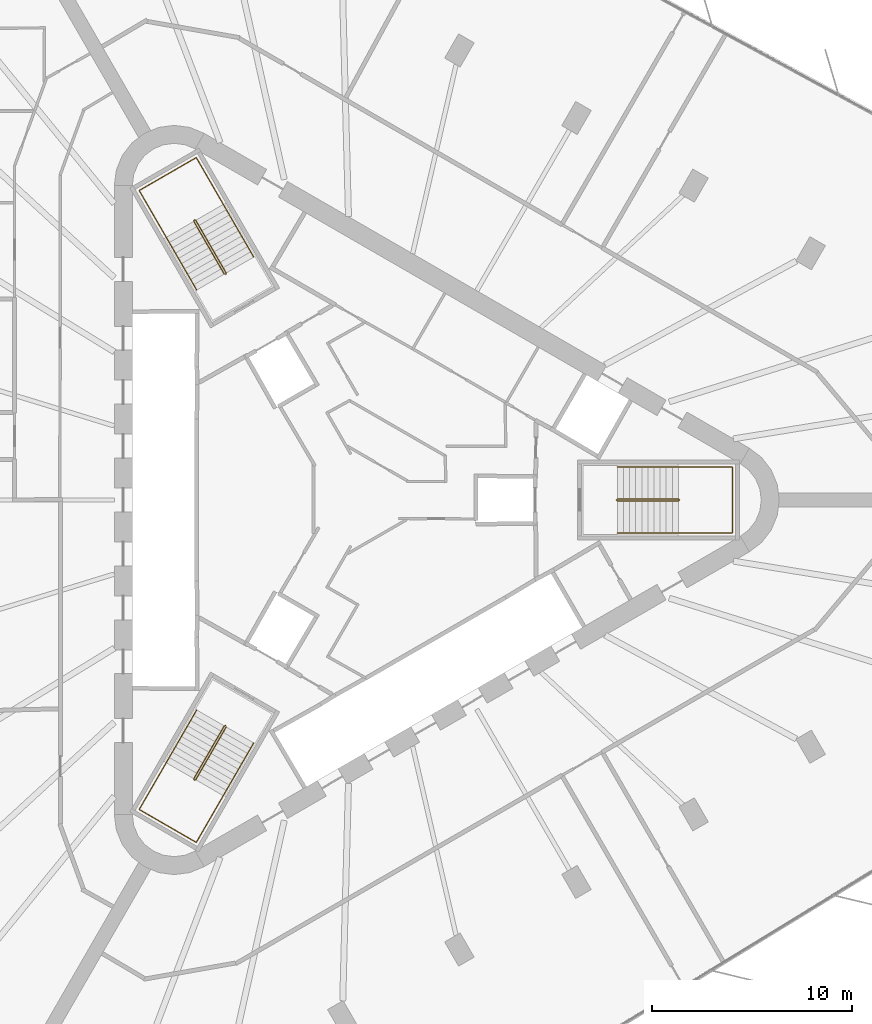
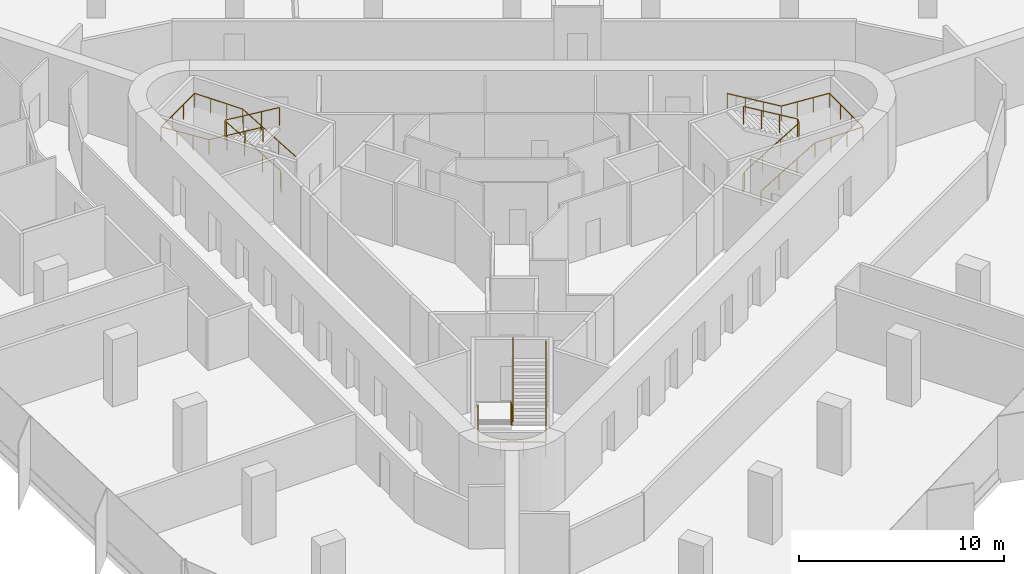
# One storey, part 14 of 14: 6 railings.
"""IFC4 building model written with IfcOpenShell, lengths in metres."""

from ifc_helpers import new_model, si_unit, direction, frame, origin, origin_2d, place, context, subcontext, project, spatial, circle, extrude, material, type_object, element, save


model = new_model("IFC4")

# Units and contexts
model_context = context("Model", 3, precision=1e-05, world=origin(), true_north=direction((0.0, 1.0)))
body_context = subcontext(model_context, "Body", "Model", "MODEL_VIEW")
ifc_project = project(units=[si_unit("LENGTHUNIT", "METRE"), si_unit("AREAUNIT", "SQUARE_METRE"), si_unit("VOLUMEUNIT", "CUBIC_METRE"), si_unit("PLANEANGLEUNIT", "RADIAN"), si_unit("MASSUNIT", "GRAM", prefix="KILO")], contexts=[model_context])

# Site, building, storey
site_placement = place(None, origin())
site = spatial("IfcSite", under=ifc_project, at=site_placement, CompositionType="ELEMENT")
building_placement = place(site_placement, origin())
building = spatial("IfcBuilding", under=site, at=building_placement, Name="Tanit Gate Tower", CompositionType="ELEMENT")
storey_placement = place(building_placement, frame((0.0, 0.0, 221.199951171875)))
storey = spatial("IfcBuildingStorey", under=building, at=storey_placement, Name="L49", CompositionType="ELEMENT", Elevation=221.199951171875)

# Railings
ifc_material_1 = material(Name="Stainless steel balustrade", Category="steel")
railing_type_1 = type_object("IfcRailingType", Name="INT-STAIR-GUARD", PredefinedType="GUARDRAIL", material=ifc_material_1)
railing_1_placement = place(storey_placement, frame((13.044921875, 0.0048828125, 0.0)))
element("IfcRailing", 1, at=railing_1_placement, inside=storey, type_object=railing_type_1, Name="L49 S1 stair guard 1", PredefinedType="GUARDRAIL", context=body_context, shape_type="SweptSolid", body=[
    extrude(circle(Radius=0.02392578125, at=origin_2d()), frame((0.0, 0.0, 1.076171875), z_axis=(0.0, -1.0, 0.0), x_axis=(1.0, 0.0, 0.0)), (0.0, 0.0, 1.0), 0.009765625),
    extrude(circle(Radius=0.02392578125, at=origin_2d()), frame((0.0, -0.009765625, 1.076171875), z_axis=(0.256435381639, -0.256435381639, 0.931923704005), x_axis=(0.707106781187, 0.707106781187, 0.0)), (0.0, 0.0, 1.0), 0.195068359375),
    extrude(circle(Radius=0.02392578125, at=origin_2d()), frame((0.050048828125, -0.059814453125, 1.2578125), z_axis=(0.859041732319, 0.0, 0.511905559781), x_axis=(0.0, 1.0, 0.0)), (0.0, 0.0, 1.0), 3.5517578125),
    extrude(circle(Radius=0.02392578125, at=origin_2d()), frame((3.10107421875, -0.059814453125, 3.076171875), z_axis=(0.707106781187, 0.707106781187, 0.0), x_axis=(-0.707106781187, 0.707106781187, 0.0)), (0.0, 0.0, 1.0), 0.07080078125),
    extrude(circle(Radius=0.02392578125, at=origin_2d()), frame((3.151123046875, -0.009765625, 3.076171875), z_axis=(0.0, 1.0, 0.0), x_axis=(-1.0, 0.0, 0.0)), (0.0, 0.0, 1.0), 0.009765625),
    extrude(circle(Radius=0.02392578125, at=origin_2d()), frame((3.151123046875, 0.0, 3.076171875), z_axis=(-0.256435381639, 0.256435381639, 0.931923704005), x_axis=(-0.707106781187, -0.707106781187, 0.0)), (0.0, 0.0, 1.0), 0.195068359375),
    extrude(circle(Radius=0.02392578125, at=origin_2d()), frame((3.10107421875, 0.050048828125, 3.2578125), z_axis=(-0.859041732319, 0.0, 0.511905559781), x_axis=(0.0, -1.0, 0.0)), (0.0, 0.0, 1.0), 3.5517578125),
    extrude(circle(Radius=0.02099609375, at=origin_2d()), origin(), (0.0, 0.0, 1.0), 1.052001953125),
    extrude(circle(Radius=0.02099609375, at=origin_2d()), frame((0.0, -0.009765625, 0.0)), (0.0, 0.0, 1.0), 1.052001953125),
    extrude(circle(Radius=0.02099609375, at=origin_2d()), frame((0.050048828125, -0.059814453125, 0.181884765625)), (0.0, 0.0, 1.0), 1.052001953125),
    extrude(circle(Radius=0.02099609375, at=origin_2d()), frame((1.067138671875, -0.059814453125, 0.787841796875)), (0.0, 0.0, 1.0), 1.052001953125),
    extrude(circle(Radius=0.02099609375, at=origin_2d()), frame((2.083984375, -0.059814453125, 1.39404296875)), (0.0, 0.0, 1.0), 1.052001953125),
    extrude(circle(Radius=0.02099609375, at=origin_2d()), frame((3.10107421875, -0.059814453125, 2.0)), (0.0, 0.0, 1.0), 1.052001953125),
    extrude(circle(Radius=0.02099609375, at=origin_2d()), frame((3.151123046875, -0.009765625, 2.0)), (0.0, 0.0, 1.0), 1.052001953125),
    extrude(circle(Radius=0.02099609375, at=origin_2d()), frame((3.151123046875, 0.0, 2.0)), (0.0, 0.0, 1.0), 1.052001953125),
    extrude(circle(Radius=0.02099609375, at=origin_2d()), frame((3.10107421875, 0.050048828125, 2.181884765625)), (0.0, 0.0, 1.0), 1.052001953125),
    extrude(circle(Radius=0.02099609375, at=origin_2d()), frame((2.083984375, 0.050048828125, 2.787841796875)), (0.0, 0.0, 1.0), 1.052001953125),
    extrude(circle(Radius=0.02099609375, at=origin_2d()), frame((1.067138671875, 0.050048828125, 3.39404296875)), (0.0, 0.0, 1.0), 1.052001953125),
    extrude(circle(Radius=0.02099609375, at=origin_2d()), frame((0.050048828125, 0.050048828125, 4.0)), (0.0, 0.0, 1.0), 1.052001953125),
])
railing_2_placement = place(storey_placement, frame((-6.527099609375, 11.29345703125, 0.0)))
element("IfcRailing", 2, at=railing_2_placement, inside=storey, type_object=railing_type_1, Name="L49 S2 stair guard 1", PredefinedType="GUARDRAIL", context=body_context, shape_type="SweptSolid", body=[
    extrude(circle(Radius=0.02392578125, at=origin_2d()), frame((0.0, 0.0, 1.076171875), z_axis=(0.868243142124, 0.496138938357, 0.0), x_axis=(-0.496138938357, 0.868243142124, 0.0)), (0.0, 0.0, 1.0), 0.01171875),
    extrude(circle(Radius=0.02392578125, at=origin_2d()), frame((0.01025390625, 0.005859375, 1.076171875), z_axis=(0.093819657636, 0.350260055175, 0.93194193252), x_axis=(-0.965948051503, 0.258736085224, 0.0)), (0.0, 0.0, 1.0), 0.195068359375),
    extrude(circle(Radius=0.02392578125, at=origin_2d()), frame((0.028564453125, 0.07421875, 1.2578125), z_axis=(-0.429472220917, 0.743822504634, 0.512134448226), x_axis=(-0.866012246495, -0.500022788402, 0.0)), (0.0, 0.0, 1.0), 3.550048828125),
    extrude(circle(Radius=0.02392578125, at=origin_2d()), frame((-1.49609375, 2.71484375, 3.076171875), z_axis=(-0.965715946433, 0.259601060869, 0.0), x_axis=(-0.259601060869, -0.965715946433, 0.0)), (0.0, 0.0, 1.0), 0.070556640625),
    extrude(circle(Radius=0.02392578125, at=origin_2d()), frame((-1.564208984375, 2.733154296875, 3.076171875), z_axis=(-0.873197702015, -0.487366159264, 0.0), x_axis=(0.487366159264, -0.873197702015, 0.0)), (0.0, 0.0, 1.0), 0.011962890625),
    extrude(circle(Radius=0.02392578125, at=origin_2d()), frame((-1.57470703125, 2.727294921875, 3.076171875), z_axis=(-0.093819657636, -0.350260055175, 0.93194193252), x_axis=(0.965948051503, -0.258736085224, 0.0)), (0.0, 0.0, 1.0), 0.195068359375),
    extrude(circle(Radius=0.02392578125, at=origin_2d()), frame((-1.593017578125, 2.658935546875, 3.2578125), z_axis=(0.429472220917, -0.743822504634, 0.512134448226), x_axis=(0.866012246495, 0.500022788402, 0.0)), (0.0, 0.0, 1.0), 3.550048828125),
    extrude(circle(Radius=0.02099609375, at=origin_2d()), origin(), (0.0, 0.0, 1.0), 1.052001953125),
    extrude(circle(Radius=0.02099609375, at=origin_2d()), frame((0.01025390625, 0.005859375, 0.0)), (0.0, 0.0, 1.0), 1.052001953125),
    extrude(circle(Radius=0.02099609375, at=origin_2d()), frame((0.028564453125, 0.07421875, 0.181884765625)), (0.0, 0.0, 1.0), 1.052001953125),
    extrude(circle(Radius=0.02099609375, at=origin_2d()), frame((-0.479736328125, 0.954345703125, 0.787841796875)), (0.0, 0.0, 1.0), 1.052001953125),
    extrude(circle(Radius=0.02099609375, at=origin_2d()), frame((-0.98779296875, 1.834716796875, 1.39404296875)), (0.0, 0.0, 1.0), 1.052001953125),
    extrude(circle(Radius=0.02099609375, at=origin_2d()), frame((-1.49609375, 2.71484375, 2.0)), (0.0, 0.0, 1.0), 1.052001953125),
    extrude(circle(Radius=0.02099609375, at=origin_2d()), frame((-1.564208984375, 2.733154296875, 2.0)), (0.0, 0.0, 1.0), 1.052001953125),
    extrude(circle(Radius=0.02099609375, at=origin_2d()), frame((-1.57470703125, 2.727294921875, 2.0)), (0.0, 0.0, 1.0), 1.052001953125),
    extrude(circle(Radius=0.02099609375, at=origin_2d()), frame((-1.593017578125, 2.658935546875, 2.181884765625)), (0.0, 0.0, 1.0), 1.052001953125),
    extrude(circle(Radius=0.02099609375, at=origin_2d()), frame((-1.084716796875, 1.77880859375, 2.787841796875)), (0.0, 0.0, 1.0), 1.052001953125),
    extrude(circle(Radius=0.02099609375, at=origin_2d()), frame((-0.57666015625, 0.8984375, 3.39404296875)), (0.0, 0.0, 1.0), 1.052001953125),
    extrude(circle(Radius=0.02099609375, at=origin_2d()), frame((-0.068359375, 0.018310546875, 4.0)), (0.0, 0.0, 1.0), 1.052001953125),
])
railing_3_placement = place(storey_placement, frame((-6.51806640625, -11.2998046875, 0.0)))
element("IfcRailing", 3, at=railing_3_placement, inside=storey, type_object=railing_type_1, Name="L49 S3 stair guard 1", PredefinedType="GUARDRAIL", context=body_context, shape_type="SweptSolid", body=[
    extrude(circle(Radius=0.02392578125, at=origin_2d()), frame((0.0, 0.0, 1.076171875), z_axis=(-0.874157276122, 0.485642931179, 0.0), x_axis=(-0.485642931179, -0.874157276122, 0.0)), (0.0, 0.0, 1.0), 0.010009765625),
    extrude(circle(Radius=0.02392578125, at=origin_2d()), frame((-0.0087890625, 0.0048828125, 1.076171875), z_axis=(-0.350300895388, -0.092579522353, 0.932050596658), x_axis=(0.255512919477, -0.966805641264, 0.0)), (0.0, 0.0, 1.0), 0.195068359375),
    extrude(circle(Radius=0.02392578125, at=origin_2d()), frame((-0.0771484375, -0.01318359375, 1.2578125), z_axis=(-0.429486674828, -0.743971555965, 0.511905772639), x_axis=(0.866048339477, -0.499960272111, 0.0)), (0.0, 0.0, 1.0), 3.5517578125),
    extrude(circle(Radius=0.02392578125, at=origin_2d()), frame((-1.6025390625, -2.655517578125, 3.076171875), z_axis=(0.258736085224, -0.965948051503, 0.0), x_axis=(0.965948051503, 0.258736085224, 0.0)), (0.0, 0.0, 1.0), 0.07080078125),
    extrude(circle(Radius=0.02392578125, at=origin_2d()), frame((-1.584228515625, -2.723876953125, 3.076171875), z_axis=(0.868243142124, -0.496138938357, 0.0), x_axis=(0.496138938357, 0.868243142124, 0.0)), (0.0, 0.0, 1.0), 0.009765625),
    extrude(circle(Radius=0.02392578125, at=origin_2d()), frame((-1.57568359375, -2.728759765625, 3.076171875), z_axis=(0.350260055175, 0.093819657636, 0.93194193252), x_axis=(-0.258736085224, 0.965948051503, 0.0)), (0.0, 0.0, 1.0), 0.195068359375),
    extrude(circle(Radius=0.02392578125, at=origin_2d()), frame((-1.50732421875, -2.71044921875, 3.2578125), z_axis=(0.429564698942, 0.743918894535, 0.511916836777), x_axis=(-0.865993683553, 0.500054937028, 0.0)), (0.0, 0.0, 1.0), 3.551513671875),
    extrude(circle(Radius=0.02099609375, at=origin_2d()), origin(), (0.0, 0.0, 1.0), 1.052001953125),
    extrude(circle(Radius=0.02099609375, at=origin_2d()), frame((-0.0087890625, 0.0048828125, 0.0)), (0.0, 0.0, 1.0), 1.052001953125),
    extrude(circle(Radius=0.02099609375, at=origin_2d()), frame((-0.0771484375, -0.01318359375, 0.181884765625)), (0.0, 0.0, 1.0), 1.052001953125),
    extrude(circle(Radius=0.02099609375, at=origin_2d()), frame((-0.585693359375, -0.89404296875, 0.787841796875)), (0.0, 0.0, 1.0), 1.052001953125),
    extrude(circle(Radius=0.02099609375, at=origin_2d()), frame((-1.093994140625, -1.774658203125, 1.39404296875)), (0.0, 0.0, 1.0), 1.052001953125),
    extrude(circle(Radius=0.02099609375, at=origin_2d()), frame((-1.6025390625, -2.655517578125, 2.0)), (0.0, 0.0, 1.0), 1.052001953125),
    extrude(circle(Radius=0.02099609375, at=origin_2d()), frame((-1.584228515625, -2.723876953125, 2.0)), (0.0, 0.0, 1.0), 1.052001953125),
    extrude(circle(Radius=0.02099609375, at=origin_2d()), frame((-1.57568359375, -2.728759765625, 2.0)), (0.0, 0.0, 1.0), 1.052001953125),
    extrude(circle(Radius=0.02099609375, at=origin_2d()), frame((-1.50732421875, -2.71044921875, 2.181884765625)), (0.0, 0.0, 1.0), 1.052001953125),
    extrude(circle(Radius=0.02099609375, at=origin_2d()), frame((-0.998779296875, -1.829833984375, 2.787841796875)), (0.0, 0.0, 1.0), 1.052001953125),
    extrude(circle(Radius=0.02099609375, at=origin_2d()), frame((-0.490234375, -0.948974609375, 3.39404296875)), (0.0, 0.0, 1.0), 1.052001953125),
    extrude(circle(Radius=0.02099609375, at=origin_2d()), frame((0.018310546875, -0.068359375, 4.0)), (0.0, 0.0, 1.0), 1.052001953125),
])
ifc_material_2 = material(Name="Stainless steel handrail", Category="steel")
railing_type_2 = type_object("IfcRailingType", Name="INT-STAIR-HANDRAIL", PredefinedType="HANDRAIL", material=ifc_material_2)
railing_4_placement = place(storey_placement, frame((13.094970703125, -1.64990234375, 0.181884765625)))
element("IfcRailing", 4, at=railing_4_placement, inside=storey, type_object=railing_type_2, Name="L49 S1 stair handrail 1", PredefinedType="HANDRAIL", context=body_context, shape_type="SweptSolid", body=[
    extrude(circle(Radius=0.02392578125, at=origin_2d()), frame((0.0, 0.0, 0.8759765625), z_axis=(0.859041732319, 0.0, 0.511905559781), x_axis=(0.0, 1.0, 0.0)), (0.0, 0.0, 1.0), 3.5517578125),
    extrude(circle(Radius=0.02392578125, at=origin_2d()), frame((3.051025390625, 0.0, 2.69384765625), z_axis=(1.0, 0.0, 0.0), x_axis=(0.0, 1.0, 0.0)), (0.0, 0.0, 1.0), 2.7041015625),
    extrude(circle(Radius=0.02392578125, at=origin_2d()), frame((5.755126953125, 0.0, 2.69384765625), z_axis=(0.0, 1.0, 0.0), x_axis=(-1.0, 0.0, 0.0)), (0.0, 0.0, 1.0), 3.2998046875),
    extrude(circle(Radius=0.02392578125, at=origin_2d()), frame((5.755126953125, 3.2998046875, 2.69384765625), z_axis=(-0.997745521698, 0.0, 0.067110907698), x_axis=(0.0, -1.0, 0.0)), (0.0, 0.0, 1.0), 2.710205078125),
    extrude(circle(Radius=0.02392578125, at=origin_2d()), frame((3.051025390625, 3.2998046875, 2.8759765625), z_axis=(-0.859041732319, 0.0, 0.511905559781), x_axis=(0.0, -1.0, 0.0)), (0.0, 0.0, 1.0), 3.5517578125),
    extrude(circle(Radius=0.02099609375, at=origin_2d()), origin(), (0.0, 0.0, 1.0), 0.851806640625),
    extrude(circle(Radius=0.02099609375, at=origin_2d()), frame((1.01708984375, 0.0, 0.60595703125)), (0.0, 0.0, 1.0), 0.851806640625),
    extrude(circle(Radius=0.02099609375, at=origin_2d()), frame((2.033935546875, 0.0, 1.212158203125)), (0.0, 0.0, 1.0), 0.851806640625),
    extrude(circle(Radius=0.02099609375, at=origin_2d()), frame((3.051025390625, 0.0, 1.818115234375)), (0.0, 0.0, 1.0), 0.851806640625),
    extrude(circle(Radius=0.02099609375, at=origin_2d()), frame((3.952392578125, 0.0, 1.818115234375)), (0.0, 0.0, 1.0), 0.851806640625),
    extrude(circle(Radius=0.02099609375, at=origin_2d()), frame((4.853759765625, 0.0, 1.818115234375)), (0.0, 0.0, 1.0), 0.851806640625),
    extrude(circle(Radius=0.02099609375, at=origin_2d()), frame((5.755126953125, 0.0, 1.818115234375)), (0.0, 0.0, 1.0), 0.851806640625),
    extrude(circle(Radius=0.02099609375, at=origin_2d()), frame((5.755126953125, 1.099853515625, 1.818115234375)), (0.0, 0.0, 1.0), 0.851806640625),
    extrude(circle(Radius=0.02099609375, at=origin_2d()), frame((5.755126953125, 2.199951171875, 1.818115234375)), (0.0, 0.0, 1.0), 0.851806640625),
    extrude(circle(Radius=0.02099609375, at=origin_2d()), frame((5.755126953125, 3.2998046875, 1.818115234375)), (0.0, 0.0, 1.0), 0.851806640625),
    extrude(circle(Radius=0.02099609375, at=origin_2d()), frame((4.853759765625, 3.2998046875, 1.878662109375)), (0.0, 0.0, 1.0), 0.851806640625),
    extrude(circle(Radius=0.02099609375, at=origin_2d()), frame((3.952392578125, 3.2998046875, 1.939453125)), (0.0, 0.0, 1.0), 0.851806640625),
    extrude(circle(Radius=0.02099609375, at=origin_2d()), frame((3.051025390625, 3.2998046875, 2.0)), (0.0, 0.0, 1.0), 0.851806640625),
    extrude(circle(Radius=0.02099609375, at=origin_2d()), frame((2.033935546875, 3.2998046875, 2.60595703125)), (0.0, 0.0, 1.0), 0.851806640625),
    extrude(circle(Radius=0.02099609375, at=origin_2d()), frame((1.01708984375, 3.2998046875, 3.212158203125)), (0.0, 0.0, 1.0), 0.851806640625),
    extrude(circle(Radius=0.02099609375, at=origin_2d()), frame((0.0, 3.2998046875, 3.818115234375)), (0.0, 0.0, 1.0), 0.851806640625),
])
railing_5_placement = place(storey_placement, frame((-5.1181640625, 12.164794921875, 0.181884765625)))
element("IfcRailing", 5, at=railing_5_placement, inside=storey, type_object=railing_type_2, Name="L49 S2 stair handrail 1", PredefinedType="HANDRAIL", context=body_context, shape_type="SweptSolid", body=[
    extrude(circle(Radius=0.02392578125, at=origin_2d()), frame((0.0, 0.0, 0.8759765625), z_axis=(-0.429416132344, 0.743844472684, 0.512149573602), x_axis=(-0.866046917185, -0.499962735845, 0.0)), (0.0, 0.0, 1.0), 3.550048828125),
    extrude(circle(Radius=0.02392578125, at=origin_2d()), frame((-1.5244140625, 2.640625, 2.69384765625), z_axis=(-0.500019123664, 0.86601436245, 0.0), x_axis=(-0.86601436245, -0.500019123664, 0.0)), (0.0, 0.0, 1.0), 2.70703125),
    extrude(circle(Radius=0.02392578125, at=origin_2d()), frame((-2.8779296875, 4.98486328125, 2.69384765625), z_axis=(-0.866008176907, -0.50002983664, 0.0), x_axis=(0.50002983664, -0.866008176907, 0.0)), (0.0, 0.0, 1.0), 3.300048828125),
    extrude(circle(Radius=0.02392578125, at=origin_2d()), frame((-5.73583984375, 3.334716796875, 2.69384765625), z_axis=(0.498932980467, -0.864043208057, 0.067046369128), x_axis=(0.865991810323, 0.500058181068, 0.0)), (0.0, 0.0, 1.0), 2.712890625),
    extrude(circle(Radius=0.02392578125, at=origin_2d()), frame((-4.38232421875, 0.99072265625, 2.8759765625), z_axis=(0.429450252752, -0.743853224023, 0.512108251761), x_axis=(0.866032263162, 0.499988119021, 0.0)), (0.0, 0.0, 1.0), 3.55029296875),
    extrude(circle(Radius=0.02099609375, at=origin_2d()), origin(), (0.0, 0.0, 1.0), 0.851806640625),
    extrude(circle(Radius=0.02099609375, at=origin_2d()), frame((-0.508056640625, 0.880126953125, 0.60595703125)), (0.0, 0.0, 1.0), 0.851806640625),
    extrude(circle(Radius=0.02099609375, at=origin_2d()), frame((-1.016357421875, 1.760498046875, 1.212158203125)), (0.0, 0.0, 1.0), 0.851806640625),
    extrude(circle(Radius=0.02099609375, at=origin_2d()), frame((-1.5244140625, 2.640625, 1.818115234375)), (0.0, 0.0, 1.0), 0.851806640625),
    extrude(circle(Radius=0.02099609375, at=origin_2d()), frame((-1.9755859375, 3.422119140625, 1.818115234375)), (0.0, 0.0, 1.0), 0.851806640625),
    extrude(circle(Radius=0.02099609375, at=origin_2d()), frame((-2.4267578125, 4.203369140625, 1.818115234375)), (0.0, 0.0, 1.0), 0.851806640625),
    extrude(circle(Radius=0.02099609375, at=origin_2d()), frame((-2.8779296875, 4.98486328125, 1.818115234375)), (0.0, 0.0, 1.0), 0.851806640625),
    extrude(circle(Radius=0.02099609375, at=origin_2d()), frame((-3.83056640625, 4.434814453125, 1.818115234375)), (0.0, 0.0, 1.0), 0.851806640625),
    extrude(circle(Radius=0.02099609375, at=origin_2d()), frame((-4.783203125, 3.884765625, 1.818115234375)), (0.0, 0.0, 1.0), 0.851806640625),
    extrude(circle(Radius=0.02099609375, at=origin_2d()), frame((-5.73583984375, 3.334716796875, 1.818115234375)), (0.0, 0.0, 1.0), 0.851806640625),
    extrude(circle(Radius=0.02099609375, at=origin_2d()), frame((-5.28466796875, 2.553466796875, 1.878662109375)), (0.0, 0.0, 1.0), 0.851806640625),
    extrude(circle(Radius=0.02099609375, at=origin_2d()), frame((-4.83349609375, 1.77197265625, 1.939453125)), (0.0, 0.0, 1.0), 0.851806640625),
    extrude(circle(Radius=0.02099609375, at=origin_2d()), frame((-4.38232421875, 0.99072265625, 2.0)), (0.0, 0.0, 1.0), 0.851806640625),
    extrude(circle(Radius=0.02099609375, at=origin_2d()), frame((-3.8740234375, 0.1103515625, 2.60595703125)), (0.0, 0.0, 1.0), 0.851806640625),
    extrude(circle(Radius=0.02099609375, at=origin_2d()), frame((-3.365966796875, -0.769775390625, 3.212158203125)), (0.0, 0.0, 1.0), 0.851806640625),
    extrude(circle(Radius=0.02099609375, at=origin_2d()), frame((-2.857666015625, -1.650146484375, 3.818115234375)), (0.0, 0.0, 1.0), 0.851806640625),
])
railing_6_placement = place(storey_placement, frame((-7.9765625, -10.515625, 0.181884765625)))
element("IfcRailing", 6, at=railing_6_placement, inside=storey, type_object=railing_type_2, Name="L49 S3 stair handrail 1", PredefinedType="HANDRAIL", context=body_context, shape_type="SweptSolid", body=[
    extrude(circle(Radius=0.02392578125, at=origin_2d()), frame((0.0, 0.0, 0.8759765625), z_axis=(-0.429486674828, -0.743971555965, 0.511905772639), x_axis=(0.866048339477, -0.499960272111, 0.0)), (0.0, 0.0, 1.0), 3.5517578125),
    extrude(circle(Radius=0.02392578125, at=origin_2d()), frame((-1.525390625, -2.642333984375, 2.69384765625), z_axis=(-0.50004290449, -0.866000631449, 0.0), x_axis=(0.866000631449, -0.50004290449, 0.0)), (0.0, 0.0, 1.0), 2.703857421875),
    extrude(circle(Radius=0.02392578125, at=origin_2d()), frame((-2.87744140625, -4.98388671875, 2.69384765625), z_axis=(0.866008176907, -0.50002983664, 0.0), x_axis=(0.50002983664, 0.866008176907, 0.0)), (0.0, 0.0, 1.0), 3.300048828125),
    extrude(circle(Radius=0.02392578125, at=origin_2d()), frame((-0.01953125, -6.634033203125, 2.69384765625), z_axis=(0.498876541924, 0.864070745781, 0.067111416348), x_axis=(-0.866023205937, 0.500003806764, 0.0)), (0.0, 0.0, 1.0), 2.710205078125),
    extrude(circle(Radius=0.02392578125, at=origin_2d()), frame((1.33251953125, -4.292236328125, 2.8759765625), z_axis=(0.429486674828, 0.743971555965, 0.511905772639), x_axis=(-0.866048339477, 0.499960272111, 0.0)), (0.0, 0.0, 1.0), 3.5517578125),
    extrude(circle(Radius=0.02099609375, at=origin_2d()), origin(), (0.0, 0.0, 1.0), 0.851806640625),
    extrude(circle(Radius=0.02099609375, at=origin_2d()), frame((-0.508544921875, -0.880859375, 0.60595703125)), (0.0, 0.0, 1.0), 0.851806640625),
    extrude(circle(Radius=0.02099609375, at=origin_2d()), frame((-1.016845703125, -1.761474609375, 1.212158203125)), (0.0, 0.0, 1.0), 0.851806640625),
    extrude(circle(Radius=0.02099609375, at=origin_2d()), frame((-1.525390625, -2.642333984375, 1.818115234375)), (0.0, 0.0, 1.0), 0.851806640625),
    extrude(circle(Radius=0.02099609375, at=origin_2d()), frame((-1.97607421875, -3.4228515625, 1.818115234375)), (0.0, 0.0, 1.0), 0.851806640625),
    extrude(circle(Radius=0.02099609375, at=origin_2d()), frame((-2.4267578125, -4.203369140625, 1.818115234375)), (0.0, 0.0, 1.0), 0.851806640625),
    extrude(circle(Radius=0.02099609375, at=origin_2d()), frame((-2.87744140625, -4.98388671875, 1.818115234375)), (0.0, 0.0, 1.0), 0.851806640625),
    extrude(circle(Radius=0.02099609375, at=origin_2d()), frame((-1.9248046875, -5.533935546875, 1.818115234375)), (0.0, 0.0, 1.0), 0.851806640625),
    extrude(circle(Radius=0.02099609375, at=origin_2d()), frame((-0.97216796875, -6.083984375, 1.818115234375)), (0.0, 0.0, 1.0), 0.851806640625),
    extrude(circle(Radius=0.02099609375, at=origin_2d()), frame((-0.01953125, -6.634033203125, 1.818115234375)), (0.0, 0.0, 1.0), 0.851806640625),
    extrude(circle(Radius=0.02099609375, at=origin_2d()), frame((0.43115234375, -5.853515625, 1.878662109375)), (0.0, 0.0, 1.0), 0.851806640625),
    extrude(circle(Radius=0.02099609375, at=origin_2d()), frame((0.8818359375, -5.07275390625, 1.939453125)), (0.0, 0.0, 1.0), 0.851806640625),
    extrude(circle(Radius=0.02099609375, at=origin_2d()), frame((1.33251953125, -4.292236328125, 2.0)), (0.0, 0.0, 1.0), 0.851806640625),
    extrude(circle(Radius=0.02099609375, at=origin_2d()), frame((1.841064453125, -3.411376953125, 2.60595703125)), (0.0, 0.0, 1.0), 0.851806640625),
    extrude(circle(Radius=0.02099609375, at=origin_2d()), frame((2.349365234375, -2.53076171875, 3.212158203125)), (0.0, 0.0, 1.0), 0.851806640625),
    extrude(circle(Radius=0.02099609375, at=origin_2d()), frame((2.85791015625, -1.64990234375, 3.818115234375)), (0.0, 0.0, 1.0), 0.851806640625),
])

save(model, "model.ifc")
